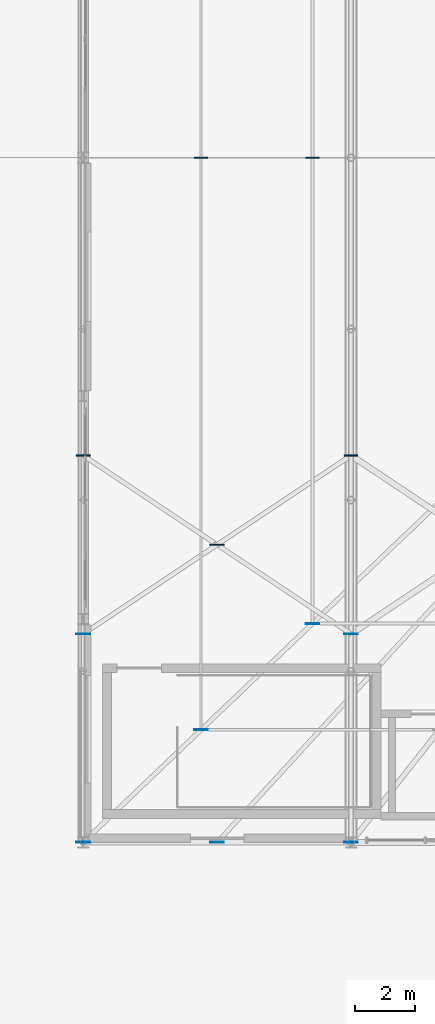
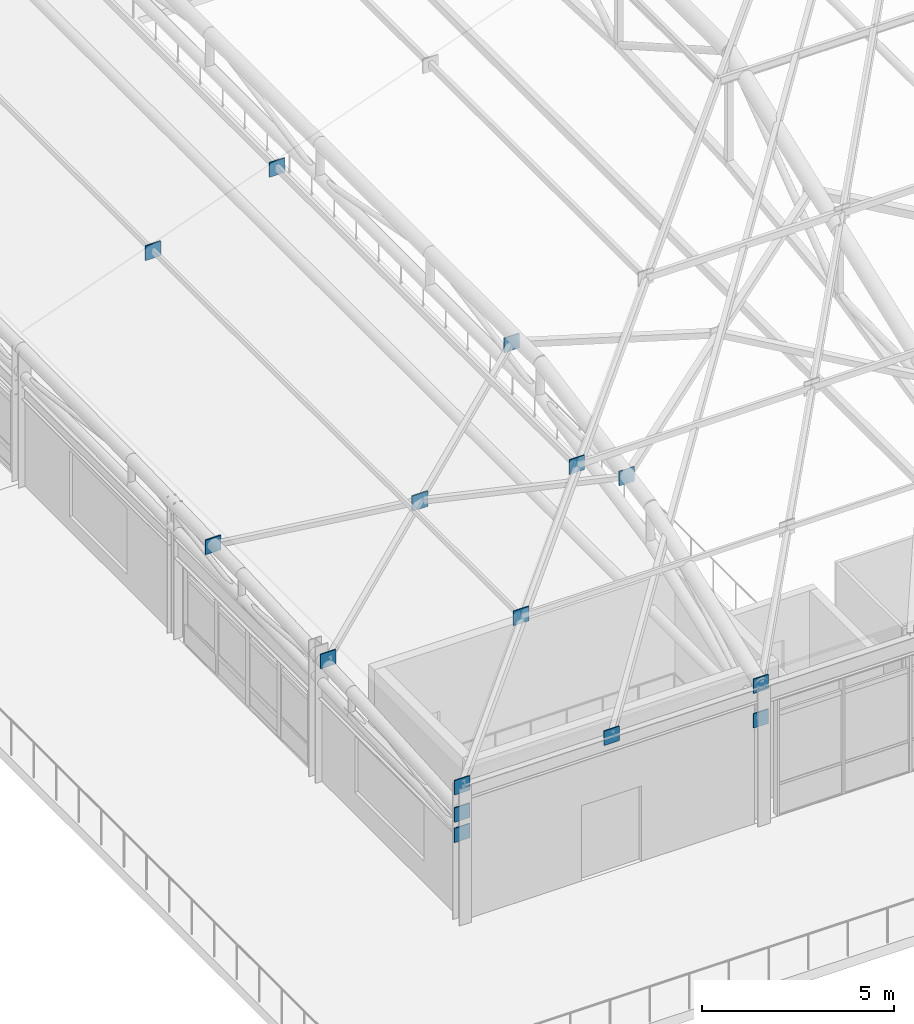
# One storey, part 141 of 168: 15 plates.
"""IFC4 building model written with IfcOpenShell, lengths in metres."""

from ifc_helpers import new_model, si_unit, direction, frame, origin, origin_2d, place, context, subcontext, project, spatial, rectangle, extrude, material, layer, layer_set, type_object, element, save


model = new_model("IFC4")

# Units and contexts
model_context = context("Model", 3, precision=1e-05, world=origin(), true_north=direction((0.0, 1.0)))
body_context = subcontext(model_context, "Body", "Model", "MODEL_VIEW")
ifc_project = project(units=[si_unit("LENGTHUNIT", "METRE"), si_unit("AREAUNIT", "SQUARE_METRE"), si_unit("VOLUMEUNIT", "CUBIC_METRE"), si_unit("PLANEANGLEUNIT", "RADIAN"), si_unit("MASSUNIT", "GRAM", prefix="KILO"), si_unit("THERMODYNAMICTEMPERATUREUNIT", "KELVIN"), si_unit("POWERUNIT", "WATT")], contexts=[model_context])

# Site, building, storey
site_placement = place(None, origin())
site = spatial("IfcSite", under=ifc_project, at=site_placement, CompositionType="ELEMENT")
building_placement = place(site_placement, origin())
building = spatial("IfcBuilding", under=site, at=building_placement, Name="Tepalcoro Natatorium and Aquatics Centre", CompositionType="ELEMENT")
storey_placement = place(building_placement, frame((0.0, 0.0, 10.199951171875)))
storey = spatial("IfcBuildingStorey", under=building, at=storey_placement, Name="L02", CompositionType="ELEMENT", Elevation=10.199951171875)

# Plates
ifc_material = material(Name="Plate Steel ASTM A572 Grade 50 (Fy 345 MPa)", Category="steel")
ifc_layer_1 = layer(ifc_material, 0.031982421875)
ifc_layer_set_1 = layer_set([ifc_layer_1], Name="Plate Steel ASTM A572 Grade 50 (Fy 345 MPa)")
plate_type_1 = type_object("IfcPlateType", Name="PL_CAP_32", PredefinedType="USERDEFINED", material=ifc_layer_set_1)
for number, where, z_axis, x_axis, name in (
    (1, (53.0, 13.0, 4.090087890625), (0.0, 0.0, 1.0), (1.0, 0.0, 0.0), "Truss Node Cap Plate HIP_SW"),
    (2, (57.5, 13.0, 4.090087890625), (0.0, 0.0, 1.0), (1.0, 0.0, 0.0), "Truss Node Cap Plate RAFS"),
    (3, (56.9599609375, 16.780029296875, 5.806640625), (0.0, 0.0, 1.0), (1.0, 0.0, 0.0), "Truss Node Cap Plate PURS"),
    (4, (60.699951171875, 20.35009765625, 7.150146484375), (0.0, 0.0, 1.0), (1.0, 0.0, 0.0), "Truss Node Cap Plate PURS"),
    (5, (53.0, 13.0, 3.219970703125), (0.0, 0.0, 1.0), (1.0, 0.0, 0.0), "Truss Node Cap Plate V1T_0"),
    (6, (53.0, 13.0, 2.570068359375), (0.0, 0.0, 1.0), (1.0, 0.0, 0.0), "Truss Node Cap Plate V1B_0"),
    (7, (62.0, 13.0, 4.1669921875), (0.0, 0.0, 1.0), (1.0, 0.0, 0.0), "Truss Node Cap Plate V1T_1"),
    (8, (62.0, 13.0, 3.067138671875), (0.0, 0.0, 1.0), (1.0, 0.0, 0.0), "Truss Node Cap Plate V1B_1"),
    (9, (53.0, 20.0, 3.864990234375), (0.0, 0.0, 1.0), (1.0, 0.0, 0.0), "Truss Node Cap Plate BR1"),
    (10, (62.0, 20.0, 6.538330078125), (0.0, 0.0, 1.0), (1.0, 0.0, 0.0), "Truss Node Cap Plate BR2"),
):
    element("IfcPlate", number, at=place(storey_placement, frame(where, z_axis=z_axis, x_axis=x_axis)), inside=storey, type_object=plate_type_1, Name=name, ObjectType="CAP PLATE", PredefinedType="USERDEFINED", context=body_context, shape_type="SweptSolid", body=[
        extrude(rectangle(XDim=0.4599609375, YDim=0.031982421875, at=origin_2d()), origin(), (0.0, 0.0, 1.0), 0.4599609375),
    ])
ifc_layer_2 = layer(ifc_material, 0.0400390625)
ifc_layer_set_2 = layer_set([ifc_layer_2], Name="Plate Steel ASTM A572 Grade 50 (Fy 345 MPa)")
plate_type_2 = type_object("IfcPlateType", Name="PL_GUSSET_40", PredefinedType="USERDEFINED", material=ifc_layer_set_2)
for number, where, z_axis, x_axis, name in (
    (11, (56.9599609375, 36.0, 5.78564453125), (0.0, 0.0, 1.0), (1.0, 0.0, 0.0), "Truss Node Gusset Plate PURW"),
    (12, (60.699951171875, 36.0, 7.129150390625), (0.0, 0.0, 1.0), (1.0, 0.0, 0.0), "Truss Node Gusset Plate PURW"),
):
    element("IfcPlate", number, at=place(storey_placement, frame(where, z_axis=z_axis, x_axis=x_axis)), inside=storey, type_object=plate_type_2, Name=name, ObjectType="GUSSET PLATE", PredefinedType="USERDEFINED", context=body_context, shape_type="SweptSolid", body=[
        extrude(rectangle(XDim=0.4599609375, YDim=0.0400390625, at=origin_2d()), origin(), (0.0, 0.0, 1.0), 0.4599609375),
    ])
plate_placement = place(storey_placement, frame((57.5, 23.0, 5.49560546875), z_axis=(0.0, 0.0, 1.0), x_axis=(1.0, 0.0, 0.0)))
element("IfcPlate", 13, at=plate_placement, inside=storey, type_object=plate_type_2, Name="V1 Pyramid X-Brace Crossing Node Plate GP2", ObjectType="GUSSET PLATE", PredefinedType="USERDEFINED", context=body_context, shape_type="SweptSolid", body=[
    extrude(rectangle(XDim=0.47998046875, YDim=0.0400390625, at=origin_2d()), origin(), (0.0, 0.0, 1.0), 0.47998046875),
])
for number, where, z_axis, x_axis, name in (
    (14, (62.0, 26.0, 7.14599609375), (0.0, 0.0, 1.0), (1.0, 0.0, 0.0), "Truss Node Gusset Plate BR1"),
    (15, (53.0, 26.0, 3.864990234375), (0.0, 0.0, 1.0), (1.0, 0.0, 0.0), "Truss Node Gusset Plate BR2"),
):
    element("IfcPlate", number, at=place(storey_placement, frame(where, z_axis=z_axis, x_axis=x_axis)), inside=storey, type_object=plate_type_2, Name=name, ObjectType="GUSSET PLATE", PredefinedType="USERDEFINED", context=body_context, shape_type="SweptSolid", body=[
        extrude(rectangle(XDim=0.4599609375, YDim=0.0400390625, at=origin_2d()), origin(), (0.0, 0.0, 1.0), 0.4599609375),
    ])

save(model, "model.ifc")
